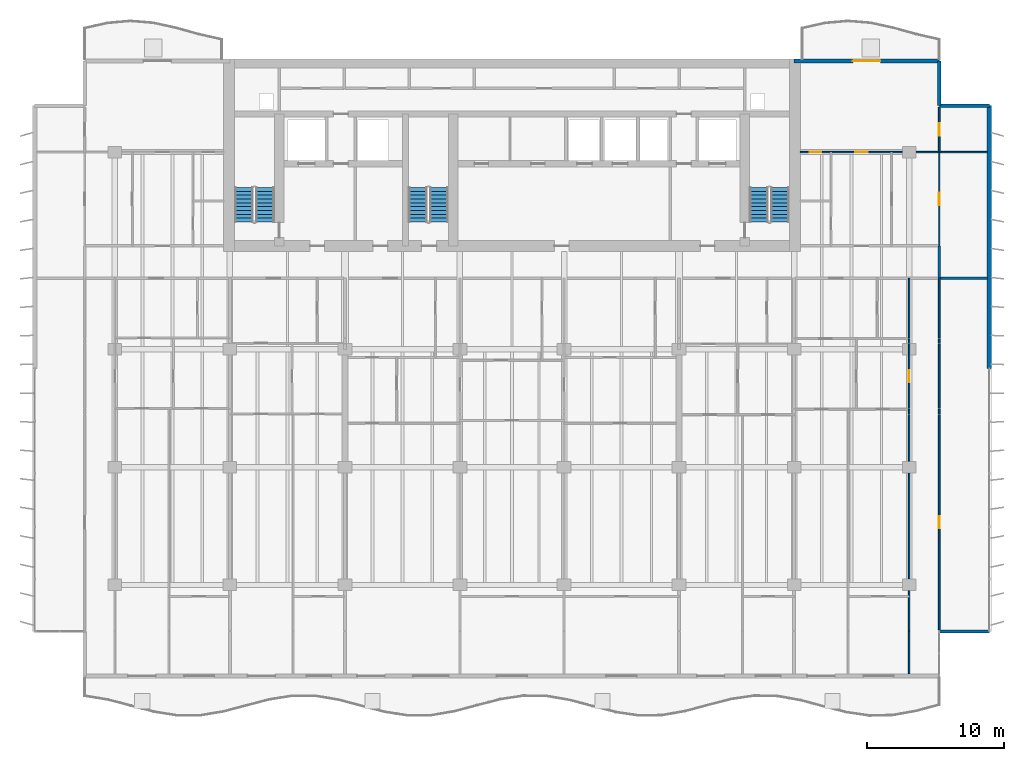
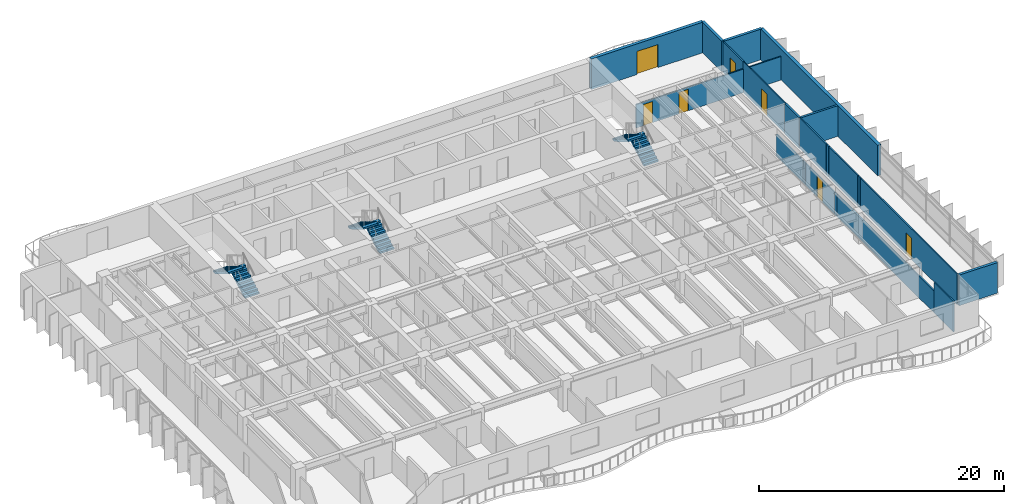
# One storey, part 12 of 17: 21 walls, 7 doors, 6 stair flights, 7 openings, 3 elements without a shape of their own.
"""IFC4 building model written with IfcOpenShell, lengths in metres."""

import ifcopenshell
import ifcopenshell.guid

model = None  # the IFC model being written
_history = None  # IfcOwnerHistory: only IFC2X3 demands one
_inside = {}  # id of a spatial element -> (the spatial element, [elements in it])
_under = {}  # id of a project, library or spatial element -> (it, [spatial elements below it])
_declared = {}  # id of a project -> (the project, [libraries it declares])
_typed = {}  # id of a type object -> (the type object, [elements of that type])
_made_of = {}  # id of a material, layer set ... -> (it, [elements and type objects made of it])


def new_model(schema):
    """Start an empty IFC model of exactly this schema.

    Asked for "IFC4X3", IfcOpenShell would pick the latest addendum, in which some entities
    have other attributes; the version numbers below select the first issue.
    IFC2X3 requires an IfcOwnerHistory on every rooted entity: one is made here for all.
    """
    global model, _history
    if schema == "IFC4X3":
        model = ifcopenshell.file(schema_version=(4, 3, 0, 0))
    else:
        model = ifcopenshell.file(schema=schema)
    _inside.clear()
    _under.clear()
    _declared.clear()
    _typed.clear()
    _made_of.clear()
    _history = None
    if model.schema == "IFC2X3":
        org = make("IfcOrganization", Name="unknown")
        user = make(
            "IfcPersonAndOrganization",
            ThePerson=make("IfcPerson", FamilyName="unknown"),
            TheOrganization=org,
        )
        app = make(
            "IfcApplication",
            ApplicationDeveloper=org,
            Version="unknown",
            ApplicationFullName="unknown",
            ApplicationIdentifier="unknown",
        )
        _history = make(
            "IfcOwnerHistory",
            OwningUser=user,
            OwningApplication=app,
            ChangeAction="ADDED",
            CreationDate=0,
        )
    return model


def make(cls, **values):
    """One entity of the class cls with the attributes given. An attribute that is None is left unset."""
    return model.create_entity(
        cls, **{name: value for name, value in values.items() if value is not None}
    )


def rooted(cls, **values):
    """An entity with a GlobalId (a new one), such as an element, a storey or a relation."""
    return make(cls, GlobalId=ifcopenshell.guid.new(), OwnerHistory=_history, **values)


def si_unit(unit_type, name, prefix=None):
    """IfcSIUnit, for example si_unit("LENGTHUNIT", "METRE", prefix="MILLI")."""
    return make("IfcSIUnit", UnitType=unit_type, Prefix=prefix, Name=name)


def assignment(units):
    """IfcUnitAssignment: the units of a project."""
    return None if units is None else make("IfcUnitAssignment", Units=units)


def point(xyz):
    """IfcCartesianPoint."""
    return None if xyz is None else make("IfcCartesianPoint", Coordinates=xyz)


def direction(xyz):
    """IfcDirection."""
    return None if xyz is None else make("IfcDirection", DirectionRatios=xyz)


def frame(location, z_axis=None, x_axis=None):
    """IfcAxis2Placement3D, a coordinate frame: its origin and axes. An axis left out is left unset."""
    return make(
        "IfcAxis2Placement3D",
        Location=point(location),
        Axis=direction(z_axis),
        RefDirection=direction(x_axis),
    )


def frame_2d(location, x_axis=None):
    """IfcAxis2Placement2D, a coordinate frame in the plane: its origin and x axis."""
    return make(
        "IfcAxis2Placement2D", Location=point(location), RefDirection=direction(x_axis)
    )


def origin():
    """The frame at (0, 0, 0) with its axes left unset."""
    return frame((0.0, 0.0, 0.0))


def place(relative_to, where):
    """IfcLocalPlacement: puts the frame where relative to a parent placement (None: the world)."""
    return make(
        "IfcLocalPlacement", PlacementRelTo=relative_to, RelativePlacement=where
    )


def context(
    kind, dimensions, precision=None, world=None, true_north=None, identifier=None
):
    """IfcGeometricRepresentationContext, for example the 3D "Model" context."""
    return make(
        "IfcGeometricRepresentationContext",
        ContextIdentifier=identifier,
        ContextType=kind,
        CoordinateSpaceDimension=dimensions,
        Precision=precision,
        WorldCoordinateSystem=world,
        TrueNorth=true_north,
    )


def subcontext(parent, identifier, kind, view, scale=None):
    """IfcGeometricRepresentationSubContext, for example "Body" below "Model"."""
    return make(
        "IfcGeometricRepresentationSubContext",
        ContextIdentifier=identifier,
        ContextType=kind,
        ParentContext=parent,
        TargetScale=scale,
        TargetView=view,
    )


def project(units=None, contexts=None):
    """IfcProject with its units and contexts."""
    return rooted(
        "IfcProject",
        Name="project",
        RepresentationContexts=contexts,
        UnitsInContext=assignment(units),
    )


def spatial(cls, under=None, at=None, **own):
    """A site, building, storey or space (cls), placed at a placement, below another one or the project."""
    s = rooted(cls, ObjectPlacement=at, **own)
    if under is not None:
        _under.setdefault(under.id(), (under, []))[1].append(s)
    return s


def polyline(points):
    """IfcPolyline through the points."""
    return make("IfcPolyline", Points=[point(p) for p in points])


def profile(cls, at=None, kind="AREA", **sizes):
    """A parametric profile (cls). Its sizes go by their IFC names, for example OverallWidth=200.0."""
    return make(cls, ProfileType=kind, Position=at, **sizes)


def rectangle(**sizes):
    """IfcRectangleProfileDef."""
    return profile("IfcRectangleProfileDef", **sizes)


def outline(outer, holes=None, kind="AREA"):
    """IfcArbitraryClosedProfileDef: a profile drawn as a closed curve; with holes, ...WithVoids."""
    if holes is None:
        return make("IfcArbitraryClosedProfileDef", ProfileType=kind, OuterCurve=outer)
    return make(
        "IfcArbitraryProfileDefWithVoids",
        ProfileType=kind,
        OuterCurve=outer,
        InnerCurves=holes,
    )


def extrude(swept, where, along, depth):
    """IfcExtrudedAreaSolid: the profile swept, set in the frame where, extruded along a direction by depth."""
    return make(
        "IfcExtrudedAreaSolid",
        SweptArea=swept,
        Position=where,
        ExtrudedDirection=direction(along),
        Depth=depth,
    )


def shape(context_of_items, identifier, shape_type, items):
    """IfcShapeRepresentation: the items that make up one representation, for example the "Body"."""
    return make(
        "IfcShapeRepresentation",
        ContextOfItems=context_of_items,
        RepresentationIdentifier=identifier,
        RepresentationType=shape_type,
        Items=items,
    )


def material(Name=None, Category=None):
    """IfcMaterial."""
    return make("IfcMaterial", Name=Name, Category=Category)


def layer(
    of_material, thickness, ventilated=None, Name=None, Category=None, Priority=None
):
    """IfcMaterialLayer: one layer of a wall or slab, of a material (None: an air gap)."""
    return make(
        "IfcMaterialLayer",
        Material=of_material,
        LayerThickness=thickness,
        IsVentilated=ventilated,
        Name=Name,
        Category=Category,
        Priority=Priority,
    )


def layer_set(layers, Name=None):
    """IfcMaterialLayerSet."""
    return make("IfcMaterialLayerSet", MaterialLayers=layers, LayerSetName=Name)


def made_of(thing, what):
    """Note that an element or type object is made of a material, layer set ...; save() writes the relation."""
    if what is not None:
        _made_of.setdefault(what.id(), (what, []))[1].append(thing)
    return thing


def type_object(cls, material=None, **own):
    """A type object (cls), such as IfcWallType, which elements share."""
    return made_of(rooted(cls, **own), material)


def element(
    cls,
    number,
    at=None,
    inside=None,
    cuts=None,
    type_object=None,
    material=None,
    context=None,
    identifier="Body",
    shape_type=None,
    held_by="IfcProductDefinitionShape",
    body=None,
    shapes=None,
    **own,
):
    """One element of the class cls, such as IfcWall. Its Tag is "e" and its number.

    at: its placement. inside: the storey or other place that contains it. cuts: it is an
    opening in that element (IfcRelVoidsElement). A single representation is given by context,
    identifier, shape_type and body (its items); several are given by shapes. held_by: the class
    of the entity that holds the representations. save() writes the other relations.
    """
    e = rooted(cls, Tag="e%d" % number, ObjectPlacement=at, **own)
    if body is not None:
        shapes = [shape(context, identifier, shape_type, body)]
    if shapes is not None:
        e.Representation = make(held_by, Representations=shapes)
    if inside is not None:
        _inside.setdefault(inside.id(), (inside, []))[1].append(e)
    if cuts is not None:
        rooted(
            "IfcRelVoidsElement", RelatingBuildingElement=cuts, RelatedOpeningElement=e
        )
    if type_object is not None:
        _typed.setdefault(type_object.id(), (type_object, []))[1].append(e)
    return made_of(e, material)


def fill(opening, filler):
    """IfcRelFillsElement: the door or window that sits in an opening."""
    return rooted(
        "IfcRelFillsElement",
        RelatingOpeningElement=opening,
        RelatedBuildingElement=filler,
    )


def aggregate(whole, parts):
    """IfcRelAggregates: a whole, such as a stair, and the parts it consists of."""
    return rooted("IfcRelAggregates", RelatingObject=whole, RelatedObjects=parts)


def save(model, path):
    """Write the relations noted so far, then the file.

    IfcRelAggregates (storeys below a building ...), IfcRelContainedInSpatialStructure (elements
    in a storey), IfcRelDefinesByType, IfcRelAssociatesMaterial and IfcRelDeclares: one each for
    every whole, place, type object, material and project.
    """
    for whole, parts in _under.values():
        aggregate(whole, parts)
    for where, things in _inside.values():
        rooted(
            "IfcRelContainedInSpatialStructure",
            RelatedElements=things,
            RelatingStructure=where,
        )
    for kind, things in _typed.values():
        rooted("IfcRelDefinesByType", RelatedObjects=things, RelatingType=kind)
    for what, things in _made_of.values():
        rooted("IfcRelAssociatesMaterial", RelatedObjects=things, RelatingMaterial=what)
    for by, libraries in _declared.values():
        rooted("IfcRelDeclares", RelatingContext=by, RelatedDefinitions=libraries)
    model.write(path)


model = new_model("IFC4")

# Units and contexts
model_context = context("Model", 3, precision=1e-05, world=origin(), true_north=direction((0.0, 1.0)))
body_context = subcontext(model_context, "Body", "Model", "MODEL_VIEW")
ifc_project = project(units=[si_unit("LENGTHUNIT", "METRE"), si_unit("AREAUNIT", "SQUARE_METRE"), si_unit("VOLUMEUNIT", "CUBIC_METRE"), si_unit("PLANEANGLEUNIT", "RADIAN"), si_unit("MASSUNIT", "GRAM", prefix="KILO")], contexts=[model_context])

# Site, building, storey
site_placement = place(None, origin())
site = spatial("IfcSite", under=ifc_project, at=site_placement, CompositionType="ELEMENT")
building_placement = place(site_placement, origin())
building = spatial("IfcBuilding", under=site, at=building_placement, Name="Caelmar Bay Residences", CompositionType="ELEMENT")
storey_placement = place(building_placement, frame((0.0, 0.0, 109.199951171875)))
storey = spatial("IfcBuildingStorey", under=building, at=storey_placement, Name="L29", CompositionType="ELEMENT", Elevation=109.199951171875)

# Walls
ifc_material_1 = material(Name="Double-stud acoustic fire-rated gypsum partition 180 mm")
ifc_layer_1 = layer(ifc_material_1, 0.179931640625)
ifc_layer_set_1 = layer_set([ifc_layer_1], Name="Double-stud acoustic fire-rated gypsum partition 180 mm")
wall_type_1 = type_object("IfcWallType", Name="W-COR-200", PredefinedType="PARTITIONING", material=ifc_layer_set_1)
wall_1_placement = place(storey_placement, frame((70.10009765625, 34.60498046875, 0.0), z_axis=(0.0, 0.0, 1.0), x_axis=(0.0, 1.0, 0.0)))
element("IfcWall", 1, at=wall_1_placement, inside=storey, type_object=wall_type_1, Name="L29 Partition Wall V117", PredefinedType="PARTITIONING", context=body_context, shape_type="SweptSolid", body=[
    extrude(rectangle(XDim=2.344970703125, YDim=0.179931640625, at=frame_2d((1.17236328125, 0.0))), origin(), (0.0, 0.0, 1.0), 3.050048828125),
])
ifc_material_2 = material(Name="Precast concrete f'c 40 MPa (6,000 psi)", Category="concrete")
ifc_layer_2 = layer(ifc_material_2, 0.25)
ifc_layer_set_2 = layer_set([ifc_layer_2], Name="Precast concrete f'c 40 MPa (6,000 psi)")
wall_type_2 = type_object("IfcWallType", Name="W-EXT-250", PredefinedType="ELEMENTEDWALL", material=ifc_layer_set_2)
wall_2_placement = place(storey_placement, frame((70.10009765625, 8.800048828125, 0.0), z_axis=(0.0, 0.0, 1.0), x_axis=(1.0, 0.0, 0.0)))
element("IfcWall", 2, at=wall_2_placement, inside=storey, type_object=wall_type_2, Name="L29 SE Notch Return Wall", PredefinedType="ELEMENTEDWALL", context=body_context, shape_type="SweptSolid", body=[
    extrude(rectangle(XDim=3.64990234375, YDim=0.25, at=frame_2d((1.824951171875, 0.0))), origin(), (0.0, 0.0, 1.0), 3.050048828125),
])
wall_3_placement = place(storey_placement, frame((70.10009765625, 50.449951171875, 0.0), z_axis=(0.0, 0.0, 1.0), x_axis=(0.0, -1.0, 0.0)))
element("IfcWall", 3, at=wall_3_placement, inside=storey, type_object=wall_type_2, Name="L29 NNE-V Notch Wall", PredefinedType="ELEMENTEDWALL", context=body_context, shape_type="SweptSolid", body=[
    extrude(rectangle(XDim=3.25, YDim=0.25, at=frame_2d((1.625, 0.0))), origin(), (0.0, 0.0, 1.0), 3.050048828125),
])
wall_4_placement = place(storey_placement, frame((70.10009765625, 47.199951171875, 0.0), z_axis=(0.0, 0.0, 1.0), x_axis=(1.0, 0.0, 0.0)))
element("IfcWall", 4, at=wall_4_placement, inside=storey, type_object=wall_type_2, Name="L29 NNE-H Notch Wall", PredefinedType="ELEMENTEDWALL", context=body_context, shape_type="SweptSolid", body=[
    extrude(rectangle(XDim=3.64990234375, YDim=0.25, at=frame_2d((1.824951171875, 0.0))), origin(), (0.0, 0.0, 1.0), 3.050048828125),
])
ifc_layer_3 = layer(ifc_material_2, 0.300048828125)
ifc_layer_set_3 = layer_set([ifc_layer_3], Name="Precast concrete f'c 40 MPa (6,000 psi)")
wall_type_3 = type_object("IfcWallType", Name="W-EXT-300", PredefinedType="STANDARD", material=ifc_layer_set_3)
wall_5_placement = place(storey_placement, frame((73.75, 47.199951171875, 0.0), z_axis=(0.0, 0.0, 1.0), x_axis=(0.0, -1.0, 0.0)))
element("IfcWall", 5, at=wall_5_placement, inside=storey, type_object=wall_type_3, Name="L29 East Rear Exterior Wall", PredefinedType="STANDARD", context=body_context, shape_type="SweptSolid", body=[
    extrude(rectangle(XDim=19.199951171875, YDim=0.300048828125, at=frame_2d((9.60009765625, 0.0))), origin(), (0.0, 0.0, 1.0), 3.050048828125),
])

# Wall, opening, door
wall_6_placement = place(storey_placement, frame((59.5, 50.449951171875, 0.0), z_axis=(0.0, 0.0, 1.0), x_axis=(1.0, 0.0, 0.0)))
wall_6 = element("IfcWall", 6, at=wall_6_placement, inside=storey, type_object=wall_type_3, Name="L29 North-East Wing Exterior Wall", PredefinedType="STANDARD", context=body_context, shape_type="SweptSolid", body=[
    extrude(rectangle(XDim=10.60009765625, YDim=0.300048828125, at=frame_2d((5.300048828125, 0.0))), origin(), (0.0, 0.0, 1.0), 3.050048828125),
])
opening_1_placement = place(wall_6_placement, frame((4.300048828125, 0.0, 0.0)))
opening_1 = element("IfcOpeningElement", 7, at=opening_1_placement, cuts=wall_6, Name="Opening L29-BDNE", PredefinedType="OPENING", context=body_context, shape_type="SweptSolid", body=[
    extrude(rectangle(XDim=2.0, YDim=2.300048828125, at=frame_2d((1.0, 1.14990234375))), frame((0.0, 0.159912109375, 0.0), z_axis=(0.0, -1.0, 0.0), x_axis=(1.0, 0.0, 0.0)), (0.0, 0.0, 1.0), 0.320068359375),
])
ifc_material_3 = material(Name="Anodised bronze thermally broken sliding glass door", Category="glass")
ifc_layer_4 = layer(ifc_material_3, 0.050048828125)
ifc_layer_set_4 = layer_set([ifc_layer_4], Name="Anodised bronze thermally broken sliding glass door")
door_type_1 = type_object("IfcDoorType", Name="D-BAL-2000", OperationType="DOUBLE_DOOR_SLIDING", PredefinedType="DOOR", material=ifc_layer_set_4)
door_1_placement = place(opening_1_placement, origin())
door_1 = element("IfcDoor", 8, at=door_1_placement, inside=storey, type_object=door_type_1, Name="L29 North-East Balcony Door", OperationType="DOUBLE_DOOR_SLIDING", OverallHeight=2.300048828125, OverallWidth=2.0, PredefinedType="DOOR", context=body_context, shape_type="SweptSolid", body=[
    extrude(rectangle(XDim=2.0, YDim=2.300048828125, at=frame_2d((1.0, 1.14990234375))), frame((0.0, 0.02490234375, 0.0), z_axis=(0.0, -1.0, 0.0), x_axis=(1.0, 0.0, 0.0)), (0.0, 0.0, 1.0), 0.050048828125),
])
fill(opening_1, door_1)

ifc_material_4 = material(Name="Anodised bronze framed acoustic sliding study partition 100 mm")
ifc_layer_5 = layer(ifc_material_4, 0.10009765625)
ifc_layer_set_5 = layer_set([ifc_layer_5], Name="Anodised bronze framed acoustic sliding study partition 100 mm")
wall_type_4 = type_object("IfcWallType", Name="W-MOV-100", PredefinedType="MOVABLE", material=ifc_layer_set_5)
wall_7_placement = place(storey_placement, frame((70.10009765625, 36.955078125, 0.0), z_axis=(0.0, 0.0, 1.0), x_axis=(0.0, 1.0, 0.0)))
wall_7 = element("IfcWall", 9, at=wall_7_placement, inside=storey, type_object=wall_type_4, Name="L29 Partition Wall V118", PredefinedType="MOVABLE", context=body_context, shape_type="SweptSolid", body=[
    extrude(rectangle(XDim=6.844970703125, YDim=0.10009765625, at=frame_2d((3.42236328125, 0.0))), origin(), (0.0, 0.0, 1.0), 3.050048828125),
])
opening_2_placement = place(wall_7_placement, frame((2.972412109375, 0.0, 0.0)))
opening_2 = element("IfcOpeningElement", 10, at=opening_2_placement, cuts=wall_7, Name="Opening D-L29-183", PredefinedType="OPENING", context=body_context, shape_type="SweptSolid", body=[
    extrude(rectangle(XDim=0.89990234375, YDim=2.14990234375, at=frame_2d((0.449951171875, 1.074951171875))), frame((0.0, 0.06005859375, 0.0), z_axis=(0.0, -1.0, 0.0), x_axis=(1.0, 0.0, 0.0)), (0.0, 0.0, 1.0), 0.1201171875),
])
ifc_material_5 = material(Name="Solid walnut timber interior door leaf and frame", Category="wood")
ifc_layer_6 = layer(ifc_material_5, 0.050048828125)
ifc_layer_set_6 = layer_set([ifc_layer_6], Name="Solid walnut timber interior door leaf and frame")
door_type_2 = type_object("IfcDoorType", Name="D-ROOM-900", OperationType="NOTDEFINED", PredefinedType="DOOR", material=ifc_layer_set_6)
door_2_placement = place(opening_2_placement, origin())
door_2 = element("IfcDoor", 11, at=door_2_placement, inside=storey, type_object=door_type_2, Name="L29 Residence EA Sun Study Door", OperationType="SINGLE_SWING_LEFT", OverallHeight=2.14990234375, OverallWidth=0.89990234375, PredefinedType="DOOR", context=body_context, shape_type="SweptSolid", body=[
    extrude(rectangle(XDim=0.89990234375, YDim=2.14990234375, at=frame_2d((0.449951171875, 1.074951171875))), frame((0.0, 0.02490234375, 0.0), z_axis=(0.0, -1.0, 0.0), x_axis=(1.0, 0.0, 0.0)), (0.0, 0.0, 1.0), 0.050048828125),
])
fill(opening_2, door_2)

# Walls
ifc_material_6 = material(Name="Acoustic metal-stud gypsum partition 120 mm")
ifc_layer_7 = layer(ifc_material_6, 0.1201171875)
ifc_layer_set_7 = layer_set([ifc_layer_7], Name="Acoustic metal-stud gypsum partition 120 mm")
wall_type_5 = type_object("IfcWallType", Name="W-PRT-120", PredefinedType="PARTITIONING", material=ifc_layer_set_7)
wall_8_placement = place(storey_placement, frame((67.89990234375, 5.695068359375, 0.0), z_axis=(0.0, 0.0, 1.0), x_axis=(0.0, 1.0, 0.0)))
element("IfcWall", 12, at=wall_8_placement, inside=storey, type_object=wall_type_5, Name="L29 Partition Wall V106", PredefinedType="PARTITIONING", context=body_context, shape_type="SweptSolid", body=[
    extrude(rectangle(XDim=3.10498046875, YDim=0.1201171875, at=frame_2d((1.552490234375, 0.0))), origin(), (0.0, 0.0, 1.0), 3.050048828125),
])
wall_9_placement = place(storey_placement, frame((67.89990234375, 8.840087890625, 0.0), z_axis=(0.0, 0.0, 1.0), x_axis=(0.0, 1.0, 0.0)))
element("IfcWall", 13, at=wall_9_placement, inside=storey, type_object=wall_type_5, Name="L29 Partition Wall V107", PredefinedType="PARTITIONING", context=body_context, shape_type="SweptSolid", body=[
    extrude(rectangle(XDim=15.789794921875, YDim=0.1201171875, at=frame_2d((7.89501953125, 0.0))), origin(), (0.0, 0.0, 1.0), 2.174072265625),
])
wall_10_placement = place(storey_placement, frame((67.89990234375, 24.68994140625, 0.0), z_axis=(0.0, 0.0, 1.0), x_axis=(0.0, 1.0, 0.0)))
element("IfcWall", 14, at=wall_10_placement, inside=storey, type_object=wall_type_5, Name="L29 Partition Wall V108", PredefinedType="PARTITIONING", context=body_context, shape_type="SweptSolid", body=[
    extrude(rectangle(XDim=0.340087890625, YDim=0.1201171875, at=frame_2d((0.169921875, 0.0))), origin(), (0.0, 0.0, 1.0), 2.174072265625),
])

# Wall, opening, door
wall_11_placement = place(storey_placement, frame((67.89990234375, 25.090087890625, 0.0), z_axis=(0.0, 0.0, 1.0), x_axis=(0.0, 1.0, 0.0)))
wall_11 = element("IfcWall", 15, at=wall_11_placement, inside=storey, type_object=wall_type_5, Name="L29 Partition Wall V109", PredefinedType="PARTITIONING", context=body_context, shape_type="SweptSolid", body=[
    extrude(rectangle(XDim=4.68994140625, YDim=0.1201171875, at=frame_2d((2.344970703125, 0.0))), origin(), (0.0, 0.0, 1.0), 2.174072265625),
])
opening_3_placement = place(wall_11_placement, frame((1.89501953125, 0.0, 0.0)))
opening_3 = element("IfcOpeningElement", 16, at=opening_3_placement, cuts=wall_11, Name="Opening D-L29-168", PredefinedType="OPENING", context=body_context, shape_type="SweptSolid", body=[
    extrude(rectangle(XDim=0.89990234375, YDim=2.1240234375, at=frame_2d((0.449951171875, 1.06201171875))), frame((0.0, 0.070068359375, 0.0), z_axis=(0.0, -1.0, 0.0), x_axis=(1.0, 0.0, 0.0)), (0.0, 0.0, 1.0), 0.14013671875),
])
door_3_placement = place(opening_3_placement, origin())
door_3 = element("IfcDoor", 17, at=door_3_placement, inside=storey, type_object=door_type_2, Name="L29 Residence 05 East Apartment Hall Door", OperationType="SINGLE_SWING_RIGHT", OverallHeight=2.1240234375, OverallWidth=0.89990234375, PredefinedType="DOOR", context=body_context, shape_type="SweptSolid", body=[
    extrude(rectangle(XDim=0.89990234375, YDim=2.1240234375, at=frame_2d((0.449951171875, 1.06201171875))), frame((0.0, 0.02490234375, 0.0), z_axis=(0.0, -1.0, 0.0), x_axis=(1.0, 0.0, 0.0)), (0.0, 0.0, 1.0), 0.050048828125),
])
fill(opening_3, door_3)

# Walls
wall_12_placement = place(storey_placement, frame((67.89990234375, 29.840087890625, 0.0), z_axis=(0.0, 0.0, 1.0), x_axis=(0.0, 1.0, 0.0)))
element("IfcWall", 18, at=wall_12_placement, inside=storey, type_object=wall_type_5, Name="L29 Partition Wall V110", PredefinedType="PARTITIONING", context=body_context, shape_type="SweptSolid", body=[
    extrude(rectangle(XDim=0.33984375, YDim=0.1201171875, at=frame_2d((0.169921875, 0.0))), origin(), (0.0, 0.0, 1.0), 2.174072265625),
])
wall_13_placement = place(storey_placement, frame((67.89990234375, 30.239990234375, 0.0), z_axis=(0.0, 0.0, 1.0), x_axis=(0.0, 1.0, 0.0)))
element("IfcWall", 19, at=wall_13_placement, inside=storey, type_object=wall_type_5, Name="L29 Partition Wall V111", PredefinedType="PARTITIONING", context=body_context, shape_type="SweptSolid", body=[
    extrude(rectangle(XDim=4.360107421875, YDim=0.1201171875, at=frame_2d((2.18017578125, 0.0))), origin(), (0.0, 0.0, 1.0), 2.174072265625),
])

# Wall, opening, door
wall_14_placement = place(storey_placement, frame((70.10009765625, 8.919921875, 0.0), z_axis=(0.0, 0.0, 1.0), x_axis=(0.0, 1.0, 0.0)))
wall_14 = element("IfcWall", 20, at=wall_14_placement, inside=storey, type_object=wall_type_5, Name="L29 Partition Wall V112", PredefinedType="PARTITIONING", context=body_context, shape_type="SweptSolid", body=[
    extrude(rectangle(XDim=15.7099609375, YDim=0.1201171875, at=frame_2d((7.85498046875, 0.0))), origin(), (0.0, 0.0, 1.0), 3.050048828125),
])
opening_4_placement = place(wall_14_placement, frame((7.405029296875, 0.0, 0.0)))
opening_4 = element("IfcOpeningElement", 21, at=opening_4_placement, cuts=wall_14, Name="Opening D-L29-170", PredefinedType="OPENING", context=body_context, shape_type="SweptSolid", body=[
    extrude(rectangle(XDim=0.89990234375, YDim=2.14990234375, at=frame_2d((0.449951171875, 1.074951171875))), frame((0.0, 0.070068359375, 0.0), z_axis=(0.0, -1.0, 0.0), x_axis=(1.0, 0.0, 0.0)), (0.0, 0.0, 1.0), 0.14013671875),
])
door_4_placement = place(opening_4_placement, origin())
door_4 = element("IfcDoor", 22, at=door_4_placement, inside=storey, type_object=door_type_2, Name="L29 Residence 05 Penthouse East Salon Door", OperationType="SINGLE_SWING_RIGHT", OverallHeight=2.14990234375, OverallWidth=0.89990234375, PredefinedType="DOOR", context=body_context, shape_type="SweptSolid", body=[
    extrude(rectangle(XDim=0.89990234375, YDim=2.14990234375, at=frame_2d((0.449951171875, 1.074951171875))), frame((0.0, 0.02490234375, 0.0), z_axis=(0.0, -1.0, 0.0), x_axis=(1.0, 0.0, 0.0)), (0.0, 0.0, 1.0), 0.050048828125),
])
fill(opening_4, door_4)

# Walls
wall_15_placement = place(storey_placement, frame((70.10009765625, 24.68994140625, 0.0), z_axis=(0.0, 0.0, 1.0), x_axis=(0.0, 1.0, 0.0)))
element("IfcWall", 23, at=wall_15_placement, inside=storey, type_object=wall_type_5, Name="L29 Partition Wall V113", PredefinedType="PARTITIONING", context=body_context, shape_type="SweptSolid", body=[
    extrude(rectangle(XDim=0.340087890625, YDim=0.1201171875, at=frame_2d((0.169921875, 0.0))), origin(), (0.0, 0.0, 1.0), 3.050048828125),
])
wall_16_placement = place(storey_placement, frame((70.10009765625, 25.090087890625, 0.0), z_axis=(0.0, 0.0, 1.0), x_axis=(0.0, 1.0, 0.0)))
element("IfcWall", 24, at=wall_16_placement, inside=storey, type_object=wall_type_5, Name="L29 Partition Wall V114", PredefinedType="PARTITIONING", context=body_context, shape_type="SweptSolid", body=[
    extrude(rectangle(XDim=4.68994140625, YDim=0.1201171875, at=frame_2d((2.344970703125, 0.0))), origin(), (0.0, 0.0, 1.0), 3.050048828125),
])
wall_17_placement = place(storey_placement, frame((70.10009765625, 29.840087890625, 0.0), z_axis=(0.0, 0.0, 1.0), x_axis=(0.0, 1.0, 0.0)))
element("IfcWall", 25, at=wall_17_placement, inside=storey, type_object=wall_type_5, Name="L29 Partition Wall V115", PredefinedType="PARTITIONING", context=body_context, shape_type="SweptSolid", body=[
    extrude(rectangle(XDim=0.33984375, YDim=0.1201171875, at=frame_2d((0.169921875, 0.0))), origin(), (0.0, 0.0, 1.0), 3.050048828125),
])
wall_18_placement = place(storey_placement, frame((70.10009765625, 30.239990234375, 0.0), z_axis=(0.0, 0.0, 1.0), x_axis=(0.0, 1.0, 0.0)))
element("IfcWall", 26, at=wall_18_placement, inside=storey, type_object=wall_type_5, Name="L29 Partition Wall V116", PredefinedType="PARTITIONING", context=body_context, shape_type="SweptSolid", body=[
    extrude(rectangle(XDim=4.360107421875, YDim=0.1201171875, at=frame_2d((2.18017578125, 0.0))), origin(), (0.0, 0.0, 1.0), 3.050048828125),
])

# Wall, opening, door
wall_19_placement = place(storey_placement, frame((70.10009765625, 43.804931640625, 0.0), z_axis=(0.0, 0.0, 1.0), x_axis=(0.0, 1.0, 0.0)))
wall_19 = element("IfcWall", 27, at=wall_19_placement, inside=storey, type_object=wall_type_5, Name="L29 Partition Wall V119", PredefinedType="PARTITIONING", context=body_context, shape_type="SweptSolid", body=[
    extrude(rectangle(XDim=3.275146484375, YDim=0.1201171875, at=frame_2d((1.6376953125, 0.0))), origin(), (0.0, 0.0, 1.0), 3.050048828125),
])
opening_5_placement = place(wall_19_placement, frame((1.1875, 0.0, 0.0)))
opening_5 = element("IfcOpeningElement", 28, at=opening_5_placement, cuts=wall_19, Name="Opening D-L29-184", PredefinedType="OPENING", context=body_context, shape_type="SweptSolid", body=[
    extrude(rectangle(XDim=0.89990234375, YDim=2.14990234375, at=frame_2d((0.449951171875, 1.074951171875))), frame((0.0, 0.070068359375, 0.0), z_axis=(0.0, -1.0, 0.0), x_axis=(1.0, 0.0, 0.0)), (0.0, 0.0, 1.0), 0.14013671875),
])
door_5_placement = place(opening_5_placement, origin())
door_5 = element("IfcDoor", 29, at=door_5_placement, inside=storey, type_object=door_type_2, Name="L29 Residence EA North Sitting Alcove Door", OperationType="SINGLE_SWING_RIGHT", OverallHeight=2.14990234375, OverallWidth=0.89990234375, PredefinedType="DOOR", context=body_context, shape_type="SweptSolid", body=[
    extrude(rectangle(XDim=0.89990234375, YDim=2.14990234375, at=frame_2d((0.449951171875, 1.074951171875))), frame((0.0, 0.02490234375, 0.0), z_axis=(0.0, -1.0, 0.0), x_axis=(1.0, 0.0, 0.0)), (0.0, 0.0, 1.0), 0.050048828125),
])
fill(opening_5, door_5)

# Wall, openings, doors
wall_20_placement = place(storey_placement, frame((59.945068359375, 43.800048828125, 0.0), z_axis=(0.0, 0.0, 1.0), x_axis=(1.0, 0.0, 0.0)))
wall_20 = element("IfcWall", 30, at=wall_20_placement, inside=storey, type_object=wall_type_5, Name="L29 Partition Wall H150", PredefinedType="PARTITIONING", context=body_context, shape_type="SweptSolid", body=[
    extrude(rectangle(XDim=13.659912109375, YDim=0.1201171875, at=frame_2d((6.830078125, 0.0))), origin(), (0.0, 0.0, 1.0), 2.339111328125),
])
opening_6_placement = place(wall_20_placement, frame((4.01708984375, 0.0, 0.0)))
opening_6 = element("IfcOpeningElement", 31, at=opening_6_placement, cuts=wall_20, Name="Opening D-L29-180", PredefinedType="OPENING", context=body_context, shape_type="SweptSolid", body=[
    extrude(rectangle(XDim=0.89990234375, YDim=2.14990234375, at=frame_2d((0.449951171875, 1.074951171875))), frame((0.0, 0.070068359375, 0.0), z_axis=(0.0, -1.0, 0.0), x_axis=(1.0, 0.0, 0.0)), (0.0, 0.0, 1.0), 0.14013671875),
])
opening_7_placement = place(wall_20_placement, frame((0.702392578125, 0.0, 0.0)))
opening_7 = element("IfcOpeningElement", 32, at=opening_7_placement, cuts=wall_20, Name="Opening D-L29-182", PredefinedType="OPENING", context=body_context, shape_type="SweptSolid", body=[
    extrude(rectangle(XDim=0.85009765625, YDim=2.10009765625, at=frame_2d((0.425048828125, 1.050048828125))), frame((0.0, 0.070068359375, 0.0), z_axis=(0.0, -1.0, 0.0), x_axis=(1.0, 0.0, 0.0)), (0.0, 0.0, 1.0), 0.14013671875),
])
ifc_layer_8 = layer(ifc_material_5, 0.050048828125)
ifc_layer_set_8 = layer_set([ifc_layer_8], Name="Solid walnut timber interior door leaf and frame")
door_type_3 = type_object("IfcDoorType", Name="D-BATH-850", OperationType="NOTDEFINED", PredefinedType="DOOR", material=ifc_layer_set_8)
door_6_placement = place(opening_7_placement, origin())
door_6 = element("IfcDoor", 33, at=door_6_placement, inside=storey, type_object=door_type_3, Name="L29 Residence EA Bathroom Door", OperationType="SINGLE_SWING_RIGHT", OverallHeight=2.10009765625, OverallWidth=0.85009765625, PredefinedType="DOOR", context=body_context, shape_type="SweptSolid", body=[
    extrude(rectangle(XDim=0.85009765625, YDim=2.10009765625, at=frame_2d((0.425048828125, 1.050048828125))), frame((0.0, 0.02490234375, 0.0), z_axis=(0.0, -1.0, 0.0), x_axis=(1.0, 0.0, 0.0)), (0.0, 0.0, 1.0), 0.050048828125),
])
fill(opening_7, door_6)
door_7_placement = place(opening_6_placement, origin())
door_7 = element("IfcDoor", 34, at=door_7_placement, inside=storey, type_object=door_type_2, Name="L29 Residence EA Studio Living and Sleeping Room Door", OperationType="SINGLE_SWING_RIGHT", OverallHeight=2.14990234375, OverallWidth=0.89990234375, PredefinedType="DOOR", context=body_context, shape_type="SweptSolid", body=[
    extrude(rectangle(XDim=0.89990234375, YDim=2.14990234375, at=frame_2d((0.449951171875, 1.074951171875))), frame((0.0, 0.02490234375, 0.0), z_axis=(0.0, -1.0, 0.0), x_axis=(1.0, 0.0, 0.0)), (0.0, 0.0, 1.0), 0.050048828125),
])
fill(opening_6, door_7)

# Wall
ifc_material_7 = material(Name="Acoustic twin-stud fire-rated inter-tenancy partition 200 mm")
ifc_layer_9 = layer(ifc_material_7, 0.199951171875)
ifc_layer_set_9 = layer_set([ifc_layer_9], Name="Acoustic twin-stud fire-rated inter-tenancy partition 200 mm")
wall_type_6 = type_object("IfcWallType", Name="W-PTY-200", PredefinedType="PARTITIONING", material=ifc_layer_set_9)
wall_21_placement = place(storey_placement, frame((70.10498046875, 34.60009765625, 0.0), z_axis=(0.0, 0.0, 1.0), x_axis=(1.0, 0.0, 0.0)))
element("IfcWall", 35, at=wall_21_placement, inside=storey, type_object=wall_type_6, Name="L29 Partition Wall H144", PredefinedType="PARTITIONING", context=body_context, shape_type="SweptSolid", body=[
    extrude(rectangle(XDim=3.5, YDim=0.199951171875, at=frame_2d((1.75, 0.0))), origin(), (0.0, 0.0, 1.0), 3.050048828125),
])

# Stair, stair flights
ifc_material_8 = material(Name="Concrete f'c 40 MPa (6,000 psi)", Category="concrete")
stair_type = type_object("IfcStairType", Name="ST-TYP-165", PredefinedType="HALF_TURN_STAIR", material=ifc_material_8)
stair_1_placement = place(storey_placement, origin())
stair_1 = element("IfcStair", 36, at=stair_1_placement, inside=storey, type_object=stair_type, Name="L29 West Smokeproof Exit Stair ST1", PredefinedType="HALF_TURN_STAIR")
stair_flight_type = type_object("IfcStairFlightType", Name="STF-1350", PredefinedType="STRAIGHT", material=ifc_material_8)
stair_flight_1_placement = place(storey_placement, frame((20.875, 38.699951171875, 0.0), z_axis=(0.0, 0.0, 1.0), x_axis=(0.0, 1.0, 0.0)))
stair_flight_1 = element("IfcStairFlight", 37, at=stair_flight_1_placement, type_object=stair_flight_type, Name="ST1 flight 1", NumberOfRisers=10, NumberOfTreads=9, PredefinedType="STRAIGHT", RiserHeight=0.165, TreadLength=0.28, context=body_context, shape_type="SweptSolid", body=[
    extrude(outline(polyline([(0.0, 0.0), (0.0, 0.1650390625), (0.280029296875, 0.1650390625), (0.280029296875, 0.330078125), (0.56005859375, 0.330078125), (0.56005859375, 0.4951171875), (0.840087890625, 0.4951171875), (0.840087890625, 0.659912109375), (1.1201171875, 0.659912109375), (1.1201171875, 0.824951171875), (1.39990234375, 0.824951171875), (1.39990234375, 0.989990234375), (1.679931640625, 0.989990234375), (1.679931640625, 1.155029296875), (1.9599609375, 1.155029296875), (1.9599609375, 1.320068359375), (2.239990234375, 1.320068359375), (2.239990234375, 1.485107421875), (2.52001953125, 1.485107421875), (2.52001953125, 1.64990234375), (2.52001953125, 1.31103515625), (0.295166015625, 0.0), (0.0, 0.0)])), frame((0.0, 0.675048828125, 0.0), z_axis=(0.0, -1.0, 0.0), x_axis=(1.0, 0.0, 0.0)), (0.0, 0.0, 1.0), 1.35009765625),
])
stair_flight_2_placement = place(storey_placement, frame((19.324951171875, 41.219970703125, 1.650146484375), z_axis=(0.0, 0.0, 1.0), x_axis=(0.0, -1.0, 0.0)))
stair_flight_2 = element("IfcStairFlight", 38, at=stair_flight_2_placement, type_object=stair_flight_type, Name="ST1 flight 2", NumberOfRisers=10, NumberOfTreads=9, PredefinedType="STRAIGHT", RiserHeight=0.165, TreadLength=0.28, context=body_context, shape_type="SweptSolid", body=[
    extrude(outline(polyline([(0.0, 0.0), (0.0, 0.1650390625), (0.280029296875, 0.1650390625), (0.280029296875, 0.330078125), (0.56005859375, 0.330078125), (0.56005859375, 0.4951171875), (0.840087890625, 0.4951171875), (0.840087890625, 0.659912109375), (1.1201171875, 0.659912109375), (1.1201171875, 0.824951171875), (1.39990234375, 0.824951171875), (1.39990234375, 0.989990234375), (1.679931640625, 0.989990234375), (1.679931640625, 1.155029296875), (1.9599609375, 1.155029296875), (1.9599609375, 1.320068359375), (2.239990234375, 1.320068359375), (2.239990234375, 1.485107421875), (2.52001953125, 1.485107421875), (2.52001953125, 1.64990234375), (2.52001953125, 1.31103515625), (0.295166015625, 0.0), (0.0, 0.0)])), frame((0.0, 0.675048828125, 0.0), z_axis=(0.0, -1.0, 0.0), x_axis=(1.0, 0.0, 0.0)), (0.0, 0.0, 1.0), 1.35009765625),
])
aggregate(stair_1, [stair_flight_1, stair_flight_2])

stair_2_placement = place(storey_placement, origin())
stair_2 = element("IfcStair", 39, at=stair_2_placement, inside=storey, type_object=stair_type, Name="L29 East Smokeproof Exit Stair ST2", PredefinedType="HALF_TURN_STAIR")
stair_flight_3_placement = place(storey_placement, frame((58.47509765625, 38.699951171875, 0.0), z_axis=(0.0, 0.0, 1.0), x_axis=(0.0, 1.0, 0.0)))
stair_flight_3 = element("IfcStairFlight", 40, at=stair_flight_3_placement, type_object=stair_flight_type, Name="ST2 flight 1", NumberOfRisers=10, NumberOfTreads=9, PredefinedType="STRAIGHT", RiserHeight=0.165, TreadLength=0.28, context=body_context, shape_type="SweptSolid", body=[
    extrude(outline(polyline([(0.0, 0.0), (0.0, 0.1650390625), (0.280029296875, 0.1650390625), (0.280029296875, 0.330078125), (0.56005859375, 0.330078125), (0.56005859375, 0.4951171875), (0.840087890625, 0.4951171875), (0.840087890625, 0.659912109375), (1.1201171875, 0.659912109375), (1.1201171875, 0.824951171875), (1.39990234375, 0.824951171875), (1.39990234375, 0.989990234375), (1.679931640625, 0.989990234375), (1.679931640625, 1.155029296875), (1.9599609375, 1.155029296875), (1.9599609375, 1.320068359375), (2.239990234375, 1.320068359375), (2.239990234375, 1.485107421875), (2.52001953125, 1.485107421875), (2.52001953125, 1.64990234375), (2.52001953125, 1.31103515625), (0.295166015625, 0.0), (0.0, 0.0)])), frame((0.0, 0.675048828125, 0.0), z_axis=(0.0, -1.0, 0.0), x_axis=(1.0, 0.0, 0.0)), (0.0, 0.0, 1.0), 1.35009765625),
])
stair_flight_4_placement = place(storey_placement, frame((56.925048828125, 41.219970703125, 1.650146484375), z_axis=(0.0, 0.0, 1.0), x_axis=(0.0, -1.0, 0.0)))
stair_flight_4 = element("IfcStairFlight", 41, at=stair_flight_4_placement, type_object=stair_flight_type, Name="ST2 flight 2", NumberOfRisers=10, NumberOfTreads=9, PredefinedType="STRAIGHT", RiserHeight=0.165, TreadLength=0.28, context=body_context, shape_type="SweptSolid", body=[
    extrude(outline(polyline([(0.0, 0.0), (0.0, 0.1650390625), (0.280029296875, 0.1650390625), (0.280029296875, 0.330078125), (0.56005859375, 0.330078125), (0.56005859375, 0.4951171875), (0.840087890625, 0.4951171875), (0.840087890625, 0.659912109375), (1.1201171875, 0.659912109375), (1.1201171875, 0.824951171875), (1.39990234375, 0.824951171875), (1.39990234375, 0.989990234375), (1.679931640625, 0.989990234375), (1.679931640625, 1.155029296875), (1.9599609375, 1.155029296875), (1.9599609375, 1.320068359375), (2.239990234375, 1.320068359375), (2.239990234375, 1.485107421875), (2.52001953125, 1.485107421875), (2.52001953125, 1.64990234375), (2.52001953125, 1.31103515625), (0.295166015625, 0.0), (0.0, 0.0)])), frame((0.0, 0.675048828125, 0.0), z_axis=(0.0, -1.0, 0.0), x_axis=(1.0, 0.0, 0.0)), (0.0, 0.0, 1.0), 1.35009765625),
])
aggregate(stair_2, [stair_flight_3, stair_flight_4])

stair_3_placement = place(storey_placement, origin())
stair_3 = element("IfcStair", 42, at=stair_3_placement, inside=storey, type_object=stair_type, Name="L29 Central Smokeproof Exit Stair ST3", PredefinedType="HALF_TURN_STAIR")
stair_flight_5_placement = place(storey_placement, frame((33.574951171875, 38.699951171875, 0.0), z_axis=(0.0, 0.0, 1.0), x_axis=(0.0, 1.0, 0.0)))
stair_flight_5 = element("IfcStairFlight", 43, at=stair_flight_5_placement, type_object=stair_flight_type, Name="ST3 flight 1", NumberOfRisers=10, NumberOfTreads=9, PredefinedType="STRAIGHT", RiserHeight=0.165, TreadLength=0.28, context=body_context, shape_type="SweptSolid", body=[
    extrude(outline(polyline([(0.0, 0.0), (0.0, 0.1650390625), (0.280029296875, 0.1650390625), (0.280029296875, 0.330078125), (0.56005859375, 0.330078125), (0.56005859375, 0.4951171875), (0.840087890625, 0.4951171875), (0.840087890625, 0.659912109375), (1.1201171875, 0.659912109375), (1.1201171875, 0.824951171875), (1.39990234375, 0.824951171875), (1.39990234375, 0.989990234375), (1.679931640625, 0.989990234375), (1.679931640625, 1.155029296875), (1.9599609375, 1.155029296875), (1.9599609375, 1.320068359375), (2.239990234375, 1.320068359375), (2.239990234375, 1.485107421875), (2.52001953125, 1.485107421875), (2.52001953125, 1.64990234375), (2.52001953125, 1.31103515625), (0.295166015625, 0.0), (0.0, 0.0)])), frame((0.0, 0.675048828125, 0.0), z_axis=(0.0, -1.0, 0.0), x_axis=(1.0, 0.0, 0.0)), (0.0, 0.0, 1.0), 1.35009765625),
])
stair_flight_6_placement = place(storey_placement, frame((32.02490234375, 41.219970703125, 1.650146484375), z_axis=(0.0, 0.0, 1.0), x_axis=(0.0, -1.0, 0.0)))
stair_flight_6 = element("IfcStairFlight", 44, at=stair_flight_6_placement, type_object=stair_flight_type, Name="ST3 flight 2", NumberOfRisers=10, NumberOfTreads=9, PredefinedType="STRAIGHT", RiserHeight=0.165, TreadLength=0.28, context=body_context, shape_type="SweptSolid", body=[
    extrude(outline(polyline([(0.0, 0.0), (0.0, 0.1650390625), (0.280029296875, 0.1650390625), (0.280029296875, 0.330078125), (0.56005859375, 0.330078125), (0.56005859375, 0.4951171875), (0.840087890625, 0.4951171875), (0.840087890625, 0.659912109375), (1.1201171875, 0.659912109375), (1.1201171875, 0.824951171875), (1.39990234375, 0.824951171875), (1.39990234375, 0.989990234375), (1.679931640625, 0.989990234375), (1.679931640625, 1.155029296875), (1.9599609375, 1.155029296875), (1.9599609375, 1.320068359375), (2.239990234375, 1.320068359375), (2.239990234375, 1.485107421875), (2.52001953125, 1.485107421875), (2.52001953125, 1.64990234375), (2.52001953125, 1.31103515625), (0.295166015625, 0.0), (0.0, 0.0)])), frame((0.0, 0.675048828125, 0.0), z_axis=(0.0, -1.0, 0.0), x_axis=(1.0, 0.0, 0.0)), (0.0, 0.0, 1.0), 1.35009765625),
])
aggregate(stair_3, [stair_flight_5, stair_flight_6])

save(model, "model.ifc")
